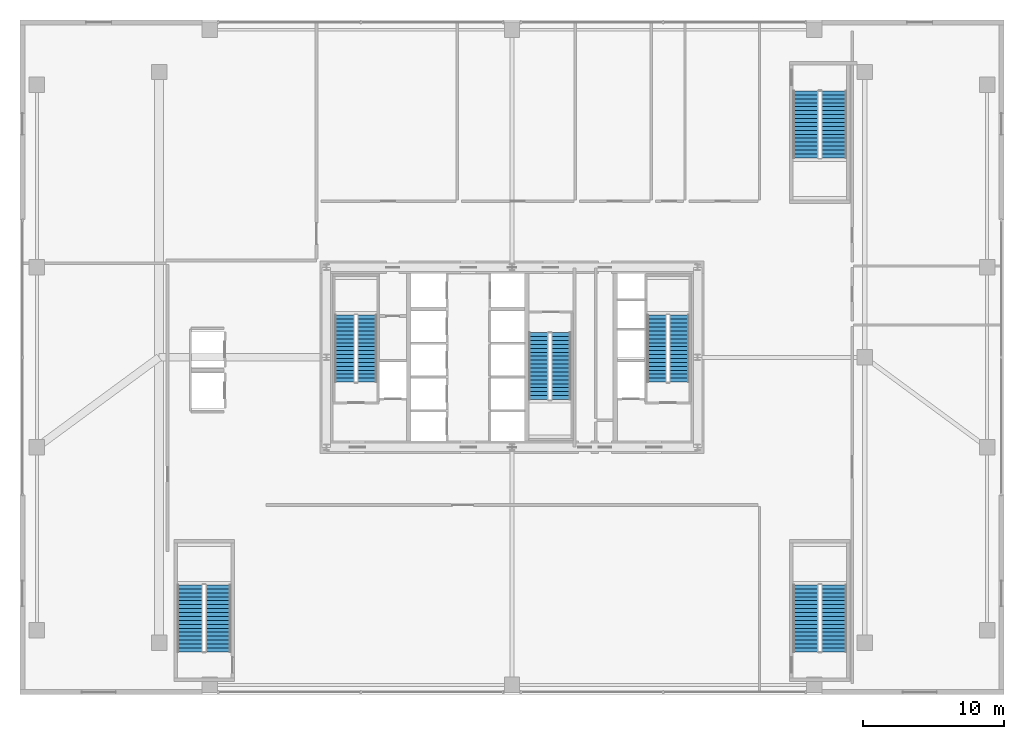
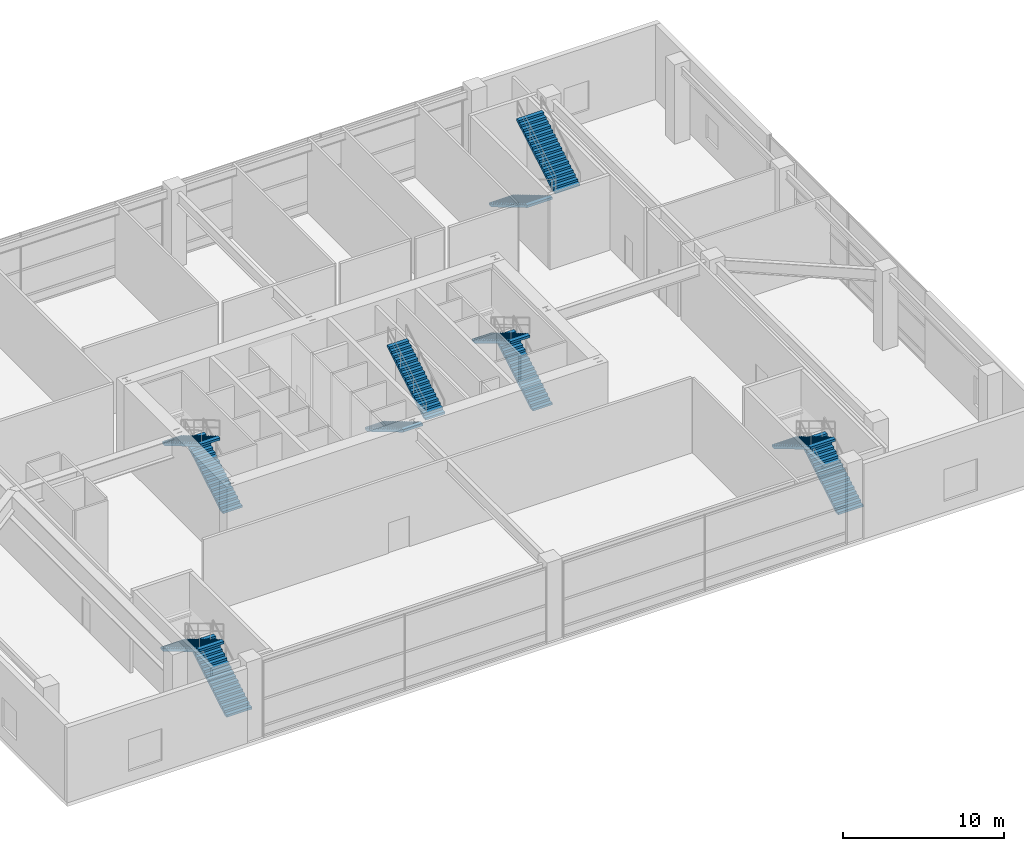
# One storey, part 36 of 39: 12 stair flights, 6 elements without a shape of their own.
"""IFC4 building model written with IfcOpenShell, lengths in metres."""

import ifcopenshell
import ifcopenshell.guid

model = None  # the IFC model being written
_history = None  # IfcOwnerHistory: only IFC2X3 demands one
_inside = {}  # id of a spatial element -> (the spatial element, [elements in it])
_under = {}  # id of a project, library or spatial element -> (it, [spatial elements below it])
_declared = {}  # id of a project -> (the project, [libraries it declares])
_typed = {}  # id of a type object -> (the type object, [elements of that type])
_made_of = {}  # id of a material, layer set ... -> (it, [elements and type objects made of it])


def new_model(schema):
    """Start an empty IFC model of exactly this schema.

    Asked for "IFC4X3", IfcOpenShell would pick the latest addendum, in which some entities
    have other attributes; the version numbers below select the first issue.
    IFC2X3 requires an IfcOwnerHistory on every rooted entity: one is made here for all.
    """
    global model, _history
    if schema == "IFC4X3":
        model = ifcopenshell.file(schema_version=(4, 3, 0, 0))
    else:
        model = ifcopenshell.file(schema=schema)
    _inside.clear()
    _under.clear()
    _declared.clear()
    _typed.clear()
    _made_of.clear()
    _history = None
    if model.schema == "IFC2X3":
        org = make("IfcOrganization", Name="unknown")
        user = make(
            "IfcPersonAndOrganization",
            ThePerson=make("IfcPerson", FamilyName="unknown"),
            TheOrganization=org,
        )
        app = make(
            "IfcApplication",
            ApplicationDeveloper=org,
            Version="unknown",
            ApplicationFullName="unknown",
            ApplicationIdentifier="unknown",
        )
        _history = make(
            "IfcOwnerHistory",
            OwningUser=user,
            OwningApplication=app,
            ChangeAction="ADDED",
            CreationDate=0,
        )
    return model


def make(cls, **values):
    """One entity of the class cls with the attributes given. An attribute that is None is left unset."""
    return model.create_entity(
        cls, **{name: value for name, value in values.items() if value is not None}
    )


def rooted(cls, **values):
    """An entity with a GlobalId (a new one), such as an element, a storey or a relation."""
    return make(cls, GlobalId=ifcopenshell.guid.new(), OwnerHistory=_history, **values)


def si_unit(unit_type, name, prefix=None):
    """IfcSIUnit, for example si_unit("LENGTHUNIT", "METRE", prefix="MILLI")."""
    return make("IfcSIUnit", UnitType=unit_type, Prefix=prefix, Name=name)


def assignment(units):
    """IfcUnitAssignment: the units of a project."""
    return None if units is None else make("IfcUnitAssignment", Units=units)


def point(xyz):
    """IfcCartesianPoint."""
    return None if xyz is None else make("IfcCartesianPoint", Coordinates=xyz)


def direction(xyz):
    """IfcDirection."""
    return None if xyz is None else make("IfcDirection", DirectionRatios=xyz)


def frame(location, z_axis=None, x_axis=None):
    """IfcAxis2Placement3D, a coordinate frame: its origin and axes. An axis left out is left unset."""
    return make(
        "IfcAxis2Placement3D",
        Location=point(location),
        Axis=direction(z_axis),
        RefDirection=direction(x_axis),
    )


def origin():
    """The frame at (0, 0, 0) with its axes left unset."""
    return frame((0.0, 0.0, 0.0))


def place(relative_to, where):
    """IfcLocalPlacement: puts the frame where relative to a parent placement (None: the world)."""
    return make(
        "IfcLocalPlacement", PlacementRelTo=relative_to, RelativePlacement=where
    )


def context(
    kind, dimensions, precision=None, world=None, true_north=None, identifier=None
):
    """IfcGeometricRepresentationContext, for example the 3D "Model" context."""
    return make(
        "IfcGeometricRepresentationContext",
        ContextIdentifier=identifier,
        ContextType=kind,
        CoordinateSpaceDimension=dimensions,
        Precision=precision,
        WorldCoordinateSystem=world,
        TrueNorth=true_north,
    )


def subcontext(parent, identifier, kind, view, scale=None):
    """IfcGeometricRepresentationSubContext, for example "Body" below "Model"."""
    return make(
        "IfcGeometricRepresentationSubContext",
        ContextIdentifier=identifier,
        ContextType=kind,
        ParentContext=parent,
        TargetScale=scale,
        TargetView=view,
    )


def project(units=None, contexts=None):
    """IfcProject with its units and contexts."""
    return rooted(
        "IfcProject",
        Name="project",
        RepresentationContexts=contexts,
        UnitsInContext=assignment(units),
    )


def spatial(cls, under=None, at=None, **own):
    """A site, building, storey or space (cls), placed at a placement, below another one or the project."""
    s = rooted(cls, ObjectPlacement=at, **own)
    if under is not None:
        _under.setdefault(under.id(), (under, []))[1].append(s)
    return s


def polyline(points):
    """IfcPolyline through the points."""
    return make("IfcPolyline", Points=[point(p) for p in points])


def outline(outer, holes=None, kind="AREA"):
    """IfcArbitraryClosedProfileDef: a profile drawn as a closed curve; with holes, ...WithVoids."""
    if holes is None:
        return make("IfcArbitraryClosedProfileDef", ProfileType=kind, OuterCurve=outer)
    return make(
        "IfcArbitraryProfileDefWithVoids",
        ProfileType=kind,
        OuterCurve=outer,
        InnerCurves=holes,
    )


def extrude(swept, where, along, depth):
    """IfcExtrudedAreaSolid: the profile swept, set in the frame where, extruded along a direction by depth."""
    return make(
        "IfcExtrudedAreaSolid",
        SweptArea=swept,
        Position=where,
        ExtrudedDirection=direction(along),
        Depth=depth,
    )


def shape(context_of_items, identifier, shape_type, items):
    """IfcShapeRepresentation: the items that make up one representation, for example the "Body"."""
    return make(
        "IfcShapeRepresentation",
        ContextOfItems=context_of_items,
        RepresentationIdentifier=identifier,
        RepresentationType=shape_type,
        Items=items,
    )


def source(mapping_origin, context_of_items, identifier, shape_type, items):
    """IfcRepresentationMap: a shape defined once, which mapped items show again and again."""
    return make(
        "IfcRepresentationMap",
        MappingOrigin=mapping_origin,
        MappedRepresentation=shape(context_of_items, identifier, shape_type, items),
    )


def transform(
    local_origin,
    x_axis=None,
    y_axis=None,
    z_axis=None,
    scale=None,
    scale2=None,
    scale3=None,
    uniform=True,
):
    """IfcCartesianTransformationOperator3D, or its non-uniform kind. x_axis, y_axis, z_axis: its Axis1, 2, 3."""
    if uniform:
        return make(
            "IfcCartesianTransformationOperator3D",
            Axis1=direction(x_axis),
            Axis2=direction(y_axis),
            LocalOrigin=point(local_origin),
            Scale=scale,
            Axis3=direction(z_axis),
        )
    return make(
        "IfcCartesianTransformationOperator3DnonUniform",
        Axis1=direction(x_axis),
        Axis2=direction(y_axis),
        LocalOrigin=point(local_origin),
        Scale=scale,
        Axis3=direction(z_axis),
        Scale2=scale2,
        Scale3=scale3,
    )


def mapped(mapping_source, mapping_target):
    """IfcMappedItem: shows the shape of a source again, moved by a transform."""
    return make(
        "IfcMappedItem", MappingSource=mapping_source, MappingTarget=mapping_target
    )


def material(Name=None, Category=None):
    """IfcMaterial."""
    return make("IfcMaterial", Name=Name, Category=Category)


def made_of(thing, what):
    """Note that an element or type object is made of a material, layer set ...; save() writes the relation."""
    if what is not None:
        _made_of.setdefault(what.id(), (what, []))[1].append(thing)
    return thing


def type_object(cls, material=None, **own):
    """A type object (cls), such as IfcWallType, which elements share."""
    return made_of(rooted(cls, **own), material)


def element(
    cls,
    number,
    at=None,
    inside=None,
    cuts=None,
    type_object=None,
    material=None,
    context=None,
    identifier="Body",
    shape_type=None,
    held_by="IfcProductDefinitionShape",
    body=None,
    shapes=None,
    **own,
):
    """One element of the class cls, such as IfcWall. Its Tag is "e" and its number.

    at: its placement. inside: the storey or other place that contains it. cuts: it is an
    opening in that element (IfcRelVoidsElement). A single representation is given by context,
    identifier, shape_type and body (its items); several are given by shapes. held_by: the class
    of the entity that holds the representations. save() writes the other relations.
    """
    e = rooted(cls, Tag="e%d" % number, ObjectPlacement=at, **own)
    if body is not None:
        shapes = [shape(context, identifier, shape_type, body)]
    if shapes is not None:
        e.Representation = make(held_by, Representations=shapes)
    if inside is not None:
        _inside.setdefault(inside.id(), (inside, []))[1].append(e)
    if cuts is not None:
        rooted(
            "IfcRelVoidsElement", RelatingBuildingElement=cuts, RelatedOpeningElement=e
        )
    if type_object is not None:
        _typed.setdefault(type_object.id(), (type_object, []))[1].append(e)
    return made_of(e, material)


def aggregate(whole, parts):
    """IfcRelAggregates: a whole, such as a stair, and the parts it consists of."""
    return rooted("IfcRelAggregates", RelatingObject=whole, RelatedObjects=parts)


def save(model, path):
    """Write the relations noted so far, then the file.

    IfcRelAggregates (storeys below a building ...), IfcRelContainedInSpatialStructure (elements
    in a storey), IfcRelDefinesByType, IfcRelAssociatesMaterial and IfcRelDeclares: one each for
    every whole, place, type object, material and project.
    """
    for whole, parts in _under.values():
        aggregate(whole, parts)
    for where, things in _inside.values():
        rooted(
            "IfcRelContainedInSpatialStructure",
            RelatedElements=things,
            RelatingStructure=where,
        )
    for kind, things in _typed.values():
        rooted("IfcRelDefinesByType", RelatedObjects=things, RelatingType=kind)
    for what, things in _made_of.values():
        rooted("IfcRelAssociatesMaterial", RelatedObjects=things, RelatingMaterial=what)
    for by, libraries in _declared.values():
        rooted("IfcRelDeclares", RelatingContext=by, RelatedDefinitions=libraries)
    model.write(path)


model = new_model("IFC4")

# Units and contexts
model_context = context("Model", 3, precision=1e-05, world=origin(), true_north=direction((0.0, 1.0)))
body_context = subcontext(model_context, "Body", "Model", "MODEL_VIEW")
ifc_project = project(units=[si_unit("LENGTHUNIT", "METRE"), si_unit("AREAUNIT", "SQUARE_METRE"), si_unit("VOLUMEUNIT", "CUBIC_METRE"), si_unit("PLANEANGLEUNIT", "RADIAN"), si_unit("MASSUNIT", "GRAM", prefix="KILO"), si_unit("THERMODYNAMICTEMPERATUREUNIT", "KELVIN"), si_unit("POWERUNIT", "WATT")], contexts=[model_context])

# Site, building, storey
site_placement = place(None, origin())
site = spatial("IfcSite", under=ifc_project, at=site_placement, CompositionType="ELEMENT")
building_placement = place(site_placement, origin())
building = spatial("IfcBuilding", under=site, at=building_placement, Name="Yuzanri Waterfront Tower", CompositionType="ELEMENT")
storey_placement = place(building_placement, frame((0.0, 0.0, 19.800048828125)))
storey = spatial("IfcBuildingStorey", under=building, at=storey_placement, Name="L05", CompositionType="ELEMENT", Elevation=19.800048828125)

# Stair, stair flights
ifc_material_1 = material(Name="Concrete C40", Category="concrete")
stair_type_1 = type_object("IfcStairType", Name="Concrete C40 Core Dogleg Exit Stair", PredefinedType="HALF_TURN_STAIR", material=ifc_material_1)
stair_1_placement = place(storey_placement, origin())
stair_1 = element("IfcStair", 1, at=stair_1_placement, inside=storey, type_object=stair_type_1, Name="L05 Smoke-Proof Core Stair ST-01", PredefinedType="HALF_TURN_STAIR")
ifc_material_2 = material(Name="Concrete C40", Category="concrete")
stair_flight_type_1 = type_object("IfcStairFlightType", Name="Concrete C40 Tall-Storey Precast Stair Flight 1380", PredefinedType="STRAIGHT", material=ifc_material_2)
shared_shape_1 = source(origin(), body_context, "Body", "SweptSolid", [
    extrude(outline(polyline([(0.0, 0.0), (0.0, 0.166748046875), (0.280029296875, 0.166748046875), (0.280029296875, 0.333251953125), (0.56005859375, 0.333251953125), (0.56005859375, 0.5), (0.840087890625, 0.5), (0.840087890625, 0.666748046875), (1.1201171875, 0.666748046875), (1.1201171875, 0.833251953125), (1.39990234375, 0.833251953125), (1.39990234375, 1.0), (1.679931640625, 1.0), (1.679931640625, 1.166748046875), (1.9599609375, 1.166748046875), (1.9599609375, 1.333251953125), (2.239990234375, 1.333251953125), (2.239990234375, 1.5), (2.52001953125, 1.5), (2.52001953125, 1.666748046875), (2.800048828125, 1.666748046875), (2.800048828125, 1.833251953125), (3.080078125, 1.833251953125), (3.080078125, 2.0), (3.360107421875, 2.0), (3.360107421875, 2.166748046875), (3.639892578125, 2.166748046875), (3.639892578125, 2.333251953125), (3.919921875, 2.333251953125), (3.919921875, 2.5), (4.199951171875, 2.5), (4.199951171875, 2.666748046875), (4.47998046875, 2.666748046875), (4.47998046875, 2.833251953125), (4.760009765625, 2.833251953125), (4.760009765625, 3.0), (4.760009765625, 2.658935546875), (0.29296875, 0.0), (0.0, 0.0)])), frame((0.0, 0.699951171875, 0.0), z_axis=(0.0, -1.0, 0.0), x_axis=(1.0, 0.0, 0.0)), (0.0, 0.0, 1.0), 1.39990234375),
])
stair_flight_1_placement = place(storey_placement, frame((26.699951171875, 24.0400390625, 0.0), z_axis=(0.0, 0.0, 1.0), x_axis=(0.0, 1.0, 0.0)))
stair_flight_1 = element("IfcStairFlight", 2, at=stair_flight_1_placement, type_object=stair_flight_type_1, Name="ST-01 flight 1", NumberOfRisers=18, NumberOfTreads=17, PredefinedType="STRAIGHT", RiserHeight=0.166666667, TreadLength=0.28, context=body_context, shape_type="MappedRepresentation", body=[
    mapped(shared_shape_1, transform((0.0, 0.0, 0.0), scale=1.0)),
])
stair_flight_2_placement = place(storey_placement, frame((25.10009765625, 28.800048828125, 3.0), z_axis=(0.0, 0.0, 1.0), x_axis=(0.0, -1.0, 0.0)))
stair_flight_2 = element("IfcStairFlight", 3, at=stair_flight_2_placement, type_object=stair_flight_type_1, Name="ST-01 flight 2", NumberOfRisers=18, NumberOfTreads=17, PredefinedType="STRAIGHT", RiserHeight=0.166666667, TreadLength=0.28, context=body_context, shape_type="MappedRepresentation", body=[
    mapped(shared_shape_1, transform((0.0, 0.0, 0.0), scale=1.0)),
])
aggregate(stair_1, [stair_flight_1, stair_flight_2])

stair_2_placement = place(storey_placement, origin())
stair_2 = element("IfcStair", 4, at=stair_2_placement, inside=storey, type_object=stair_type_1, Name="L05 Smoke-Proof Core Stair ST-02", PredefinedType="HALF_TURN_STAIR")
stair_flight_3_placement = place(storey_placement, frame((48.89990234375, 24.0400390625, 0.0), z_axis=(0.0, 0.0, 1.0), x_axis=(0.0, 1.0, 0.0)))
stair_flight_3 = element("IfcStairFlight", 5, at=stair_flight_3_placement, type_object=stair_flight_type_1, Name="ST-02 flight 1", NumberOfRisers=18, NumberOfTreads=17, PredefinedType="STRAIGHT", RiserHeight=0.166666667, TreadLength=0.28, context=body_context, shape_type="MappedRepresentation", body=[
    mapped(shared_shape_1, transform((0.0, 0.0, 0.0), scale=1.0)),
])
stair_flight_4_placement = place(storey_placement, frame((47.300048828125, 28.800048828125, 3.0), z_axis=(0.0, 0.0, 1.0), x_axis=(0.0, -1.0, 0.0)))
stair_flight_4 = element("IfcStairFlight", 6, at=stair_flight_4_placement, type_object=stair_flight_type_1, Name="ST-02 flight 2", NumberOfRisers=18, NumberOfTreads=17, PredefinedType="STRAIGHT", RiserHeight=0.166666667, TreadLength=0.28, context=body_context, shape_type="MappedRepresentation", body=[
    mapped(shared_shape_1, transform((0.0, 0.0, 0.0), scale=1.0)),
])
aggregate(stair_2, [stair_flight_3, stair_flight_4])

stair_3_placement = place(storey_placement, origin())
stair_3 = element("IfcStair", 7, at=stair_3_placement, inside=storey, type_object=stair_type_1, Name="L05 Smoke-Proof Core Stair ST-03", PredefinedType="HALF_TURN_STAIR")
stair_flight_5_placement = place(storey_placement, frame((38.89990234375, 27.56005859375, 0.0), z_axis=(0.0, 0.0, 1.0), x_axis=(0.0, -1.0, 0.0)))
stair_flight_5 = element("IfcStairFlight", 8, at=stair_flight_5_placement, type_object=stair_flight_type_1, Name="ST-03 flight 1", NumberOfRisers=18, NumberOfTreads=17, PredefinedType="STRAIGHT", RiserHeight=0.166666667, TreadLength=0.28, context=body_context, shape_type="MappedRepresentation", body=[
    mapped(shared_shape_1, transform((0.0, 0.0, 0.0), scale=1.0)),
])
stair_flight_6_placement = place(storey_placement, frame((40.5, 22.800048828125, 3.0), z_axis=(0.0, 0.0, 1.0), x_axis=(0.0, 1.0, 0.0)))
stair_flight_6 = element("IfcStairFlight", 9, at=stair_flight_6_placement, type_object=stair_flight_type_1, Name="ST-03 flight 2", NumberOfRisers=18, NumberOfTreads=17, PredefinedType="STRAIGHT", RiserHeight=0.166666667, TreadLength=0.28, context=body_context, shape_type="MappedRepresentation", body=[
    mapped(shared_shape_1, transform((0.0, 0.0, 0.0), scale=1.0)),
])
aggregate(stair_3, [stair_flight_5, stair_flight_6])

ifc_material_3 = material(Name="Concrete C40", Category="concrete")
stair_type_2 = type_object("IfcStairType", Name="Concrete C40 Podium Dogleg Exit Stair", PredefinedType="HALF_TURN_STAIR", material=ifc_material_3)
stair_4_placement = place(storey_placement, origin())
stair_4 = element("IfcStair", 10, at=stair_4_placement, inside=storey, type_object=stair_type_2, Name="L05 Podium Public Exit Stair PST-01", PredefinedType="HALF_TURN_STAIR")
ifc_material_4 = material(Name="Concrete C40", Category="concrete")
stair_flight_type_2 = type_object("IfcStairFlightType", Name="Concrete C40 Precast Podium Stair Flight 1400", PredefinedType="STRAIGHT", material=ifc_material_4)
shared_shape_2 = source(origin(), body_context, "Body", "SweptSolid", [
    extrude(outline(polyline([(0.0, 0.0), (0.0, 0.166748046875), (0.280029296875, 0.166748046875), (0.280029296875, 0.333251953125), (0.56005859375, 0.333251953125), (0.56005859375, 0.5), (0.840087890625, 0.5), (0.840087890625, 0.666748046875), (1.1201171875, 0.666748046875), (1.1201171875, 0.833251953125), (1.39990234375, 0.833251953125), (1.39990234375, 1.0), (1.679931640625, 1.0), (1.679931640625, 1.166748046875), (1.9599609375, 1.166748046875), (1.9599609375, 1.333251953125), (2.239990234375, 1.333251953125), (2.239990234375, 1.5), (2.52001953125, 1.5), (2.52001953125, 1.666748046875), (2.800048828125, 1.666748046875), (2.800048828125, 1.833251953125), (3.080078125, 1.833251953125), (3.080078125, 2.0), (3.360107421875, 2.0), (3.360107421875, 2.166748046875), (3.639892578125, 2.166748046875), (3.639892578125, 2.333251953125), (3.919921875, 2.333251953125), (3.919921875, 2.5), (4.199951171875, 2.5), (4.199951171875, 2.666748046875), (4.47998046875, 2.666748046875), (4.47998046875, 2.833251953125), (4.760009765625, 2.833251953125), (4.760009765625, 3.0), (4.760009765625, 2.658935546875), (0.29296875, 0.0), (0.0, 0.0)])), frame((0.0, 0.89990234375, 0.0), z_axis=(0.0, -1.0, 0.0), x_axis=(1.0, 0.0, 0.0)), (0.0, 0.0, 1.0), 1.800048828125),
])
stair_flight_7_placement = place(storey_placement, frame((16.10009765625, 4.85009765625, 0.0), z_axis=(0.0, 0.0, 1.0), x_axis=(0.0, 1.0, 0.0)))
stair_flight_7 = element("IfcStairFlight", 11, at=stair_flight_7_placement, type_object=stair_flight_type_2, Name="PST-01 flight 1", NumberOfRisers=18, NumberOfTreads=17, PredefinedType="STRAIGHT", RiserHeight=0.166666667, TreadLength=0.28, context=body_context, shape_type="MappedRepresentation", body=[
    mapped(shared_shape_2, transform((0.0, 0.0, 0.0), scale=1.0)),
])
stair_flight_8_placement = place(storey_placement, frame((14.10009765625, 9.610107421875, 3.0), z_axis=(0.0, 0.0, 1.0), x_axis=(0.0, -1.0, 0.0)))
stair_flight_8 = element("IfcStairFlight", 12, at=stair_flight_8_placement, type_object=stair_flight_type_2, Name="PST-01 flight 2", NumberOfRisers=18, NumberOfTreads=17, PredefinedType="STRAIGHT", RiserHeight=0.166666667, TreadLength=0.28, context=body_context, shape_type="MappedRepresentation", body=[
    mapped(shared_shape_2, transform((0.0, 0.0, 0.0), scale=1.0)),
])
aggregate(stair_4, [stair_flight_7, stair_flight_8])

stair_5_placement = place(storey_placement, origin())
stair_5 = element("IfcStair", 13, at=stair_5_placement, inside=storey, type_object=stair_type_2, Name="L05 Podium Public Exit Stair PST-02", PredefinedType="HALF_TURN_STAIR")
stair_flight_9_placement = place(storey_placement, frame((59.89990234375, 4.85009765625, 0.0), z_axis=(0.0, 0.0, 1.0), x_axis=(0.0, 1.0, 0.0)))
stair_flight_9 = element("IfcStairFlight", 14, at=stair_flight_9_placement, type_object=stair_flight_type_2, Name="PST-02 flight 1", NumberOfRisers=18, NumberOfTreads=17, PredefinedType="STRAIGHT", RiserHeight=0.166666667, TreadLength=0.28, context=body_context, shape_type="MappedRepresentation", body=[
    mapped(shared_shape_2, transform((0.0, 0.0, 0.0), scale=1.0)),
])
stair_flight_10_placement = place(storey_placement, frame((57.89990234375, 9.610107421875, 3.0), z_axis=(0.0, 0.0, 1.0), x_axis=(0.0, -1.0, 0.0)))
stair_flight_10 = element("IfcStairFlight", 15, at=stair_flight_10_placement, type_object=stair_flight_type_2, Name="PST-02 flight 2", NumberOfRisers=18, NumberOfTreads=17, PredefinedType="STRAIGHT", RiserHeight=0.166666667, TreadLength=0.28, context=body_context, shape_type="MappedRepresentation", body=[
    mapped(shared_shape_2, transform((0.0, 0.0, 0.0), scale=1.0)),
])
aggregate(stair_5, [stair_flight_9, stair_flight_10])

stair_6_placement = place(storey_placement, origin())
stair_6 = element("IfcStair", 16, at=stair_6_placement, inside=storey, type_object=stair_type_2, Name="L05 Podium Public Exit Stair PST-03", PredefinedType="HALF_TURN_STAIR")
stair_flight_11_placement = place(storey_placement, frame((57.89990234375, 44.75, 0.0), z_axis=(0.0, 0.0, 1.0), x_axis=(0.0, -1.0, 0.0)))
stair_flight_11 = element("IfcStairFlight", 17, at=stair_flight_11_placement, type_object=stair_flight_type_2, Name="PST-03 flight 1", NumberOfRisers=18, NumberOfTreads=17, PredefinedType="STRAIGHT", RiserHeight=0.166666667, TreadLength=0.28, context=body_context, shape_type="MappedRepresentation", body=[
    mapped(shared_shape_2, transform((0.0, 0.0, 0.0), scale=1.0)),
])
stair_flight_12_placement = place(storey_placement, frame((59.89990234375, 39.989990234375, 3.0), z_axis=(0.0, 0.0, 1.0), x_axis=(0.0, 1.0, 0.0)))
stair_flight_12 = element("IfcStairFlight", 18, at=stair_flight_12_placement, type_object=stair_flight_type_2, Name="PST-03 flight 2", NumberOfRisers=18, NumberOfTreads=17, PredefinedType="STRAIGHT", RiserHeight=0.166666667, TreadLength=0.28, context=body_context, shape_type="MappedRepresentation", body=[
    mapped(shared_shape_2, transform((0.0, 0.0, 0.0), scale=1.0)),
])
aggregate(stair_6, [stair_flight_11, stair_flight_12])

save(model, "model.ifc")
